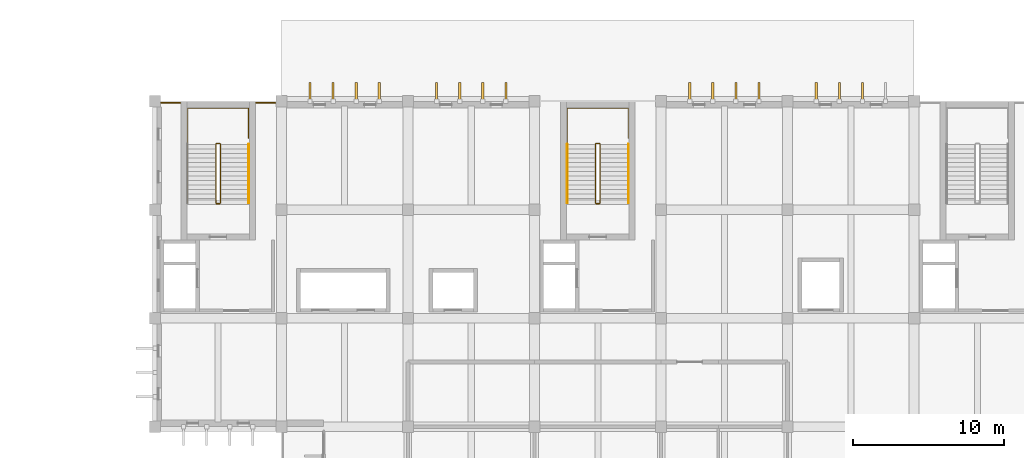
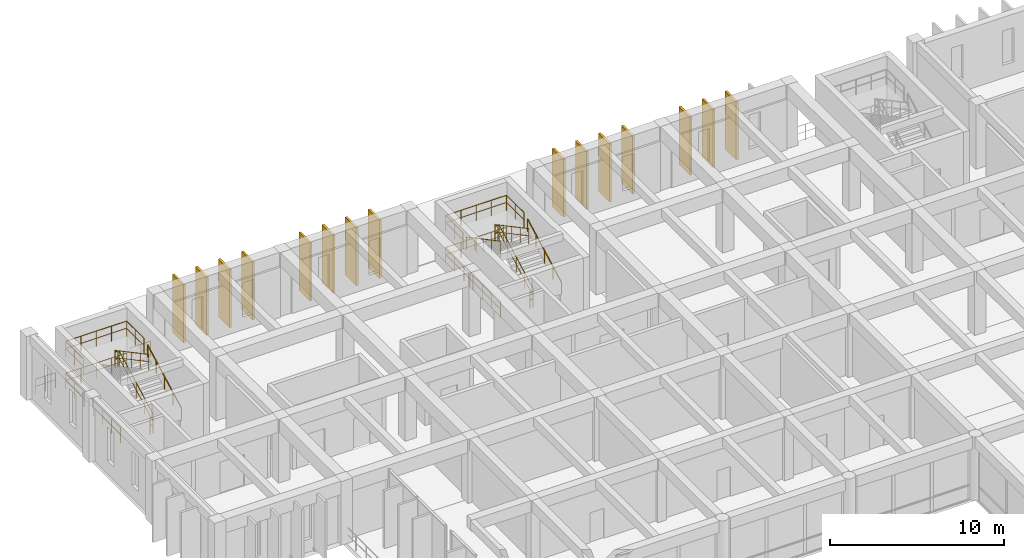
# One storey, part 22 of 23: 17 railings, 15 shading devices.
"""IFC4 building model written with IfcOpenShell, lengths in metres."""

from ifc_helpers import new_model, si_unit, direction, frame, origin, origin_2d, place, context, subcontext, project, spatial, rectangle, circle, extrude, material, type_object, element, save


model = new_model("IFC4")

# Units and contexts
model_context = context("Model", 3, precision=1e-05, world=origin(), true_north=direction((0.0, 1.0)))
body_context = subcontext(model_context, "Body", "Model", "MODEL_VIEW")
ifc_project = project(units=[si_unit("LENGTHUNIT", "METRE"), si_unit("AREAUNIT", "SQUARE_METRE"), si_unit("VOLUMEUNIT", "CUBIC_METRE"), si_unit("PLANEANGLEUNIT", "RADIAN"), si_unit("MASSUNIT", "GRAM", prefix="KILO")], contexts=[model_context])

# Site, building, storey
site_placement = place(None, origin())
site = spatial("IfcSite", under=ifc_project, at=site_placement, CompositionType="ELEMENT")
building_placement = place(site_placement, origin())
building = spatial("IfcBuilding", under=site, at=building_placement, Name="Kenerak Square Central Library", CompositionType="ELEMENT")
storey_placement = place(building_placement, frame((0.0, 0.0, 18.8798828125)))
storey = spatial("IfcBuildingStorey", under=building, at=storey_placement, Name="L04", CompositionType="ELEMENT", Elevation=18.8798828125)

# Shading devices
ifc_material_1 = material(Name="White precast concrete C40/50", Category="concrete")
shading_device_type = type_object("IfcShadingDeviceType", Name="Precast Vertical Solar Fin SF-1280 C40/50", PredefinedType="USERDEFINED", material=ifc_material_1)
for number, where, z_axis, x_axis, name in (
    (1, (68.705078125, 111.02001953125, 0.10009765625), (0.0, 0.0, 1.0), (1.0, 0.0, 0.0), "Precast Solar Fin FIN-01 L04 0362"),
    (2, (70.235107421875, 111.02001953125, 0.10009765625), (0.0, 0.0, 1.0), (1.0, 0.0, 0.0), "Precast Solar Fin FIN-01 L04 0363"),
    (3, (71.764892578125, 111.02001953125, 0.10009765625), (0.0, 0.0, 1.0), (1.0, 0.0, 0.0), "Precast Solar Fin FIN-01 L04 0364"),
    (4, (73.294921875, 111.02001953125, 0.10009765625), (0.0, 0.0, 1.0), (1.0, 0.0, 0.0), "Precast Solar Fin FIN-01 L04 0365"),
    (5, (77.10498046875, 111.02001953125, 0.10009765625), (0.0, 0.0, 1.0), (1.0, 0.0, 0.0), "Precast Solar Fin FIN-01 L04 0366"),
    (6, (78.635009765625, 111.02001953125, 0.10009765625), (0.0, 0.0, 1.0), (1.0, 0.0, 0.0), "Precast Solar Fin FIN-01 L04 0367"),
    (7, (80.1650390625, 111.02001953125, 0.10009765625), (0.0, 0.0, 1.0), (1.0, 0.0, 0.0), "Precast Solar Fin FIN-01 L04 0368"),
    (8, (81.695068359375, 111.02001953125, 0.10009765625), (0.0, 0.0, 1.0), (1.0, 0.0, 0.0), "Precast Solar Fin FIN-01 L04 0369"),
    (9, (93.905029296875, 111.02001953125, 0.10009765625), (0.0, 0.0, 1.0), (1.0, 0.0, 0.0), "Precast Solar Fin FIN-01 L04 0370"),
    (10, (95.43505859375, 111.02001953125, 0.10009765625), (0.0, 0.0, 1.0), (1.0, 0.0, 0.0), "Precast Solar Fin FIN-01 L04 0371"),
    (11, (96.965087890625, 111.02001953125, 0.10009765625), (0.0, 0.0, 1.0), (1.0, 0.0, 0.0), "Precast Solar Fin FIN-01 L04 0372"),
    (12, (98.4951171875, 111.02001953125, 0.10009765625), (0.0, 0.0, 1.0), (1.0, 0.0, 0.0), "Precast Solar Fin FIN-01 L04 0373"),
    (13, (102.304931640625, 111.02001953125, 0.10009765625), (0.0, 0.0, 1.0), (1.0, 0.0, 0.0), "Precast Solar Fin FIN-01 L04 0374"),
    (14, (103.8349609375, 111.02001953125, 0.10009765625), (0.0, 0.0, 1.0), (1.0, 0.0, 0.0), "Precast Solar Fin FIN-01 L04 0375"),
    (15, (105.364990234375, 111.02001953125, 0.10009765625), (0.0, 0.0, 1.0), (1.0, 0.0, 0.0), "Precast Solar Fin FIN-01 L04 0376"),
):
    element("IfcShadingDevice", number, at=place(storey_placement, frame(where, z_axis=z_axis, x_axis=x_axis)), inside=storey, type_object=shading_device_type, Name=name, ObjectType="FIN", PredefinedType="USERDEFINED", context=body_context, shape_type="SweptSolid", body=[
        extrude(rectangle(XDim=0.139892578125, YDim=1.280029296875, at=origin_2d()), origin(), (0.0, 0.0, 1.0), 4.054931640625),
    ])

# Railings
ifc_material_2 = material(Name="Steel S355", Category="steel")
railing_type_1 = type_object("IfcRailingType", Name="Safety Guardrail GR-1100 S355", PredefinedType="GUARDRAIL", material=ifc_material_2)
railing_1_placement = place(storey_placement, frame((62.75, 103.64990234375, 0.16015625)))
element("IfcRailing", 16, at=railing_1_placement, inside=storey, type_object=railing_type_1, Name="L04 ST-01 stair guard 1", PredefinedType="GUARDRAIL", context=body_context, shape_type="SweptSolid", body=[
    extrude(circle(Radius=0.02392578125, at=origin_2d()), frame((0.0, 0.0, 1.076171875), z_axis=(0.0, 0.882352941176, 0.470588235294), x_axis=(-1.0, 0.0, 0.0)), (0.0, 0.0, 1.0), 4.420166015625),
    extrude(circle(Radius=0.01806640625, at=origin_2d()), frame((0.0, 0.0, 0.572021484375), z_axis=(0.0, 0.882352941176, 0.470588235294), x_axis=(-1.0, 0.0, 0.0)), (0.0, 0.0, 1.0), 4.420166015625),
    extrude(circle(Radius=0.02099609375, at=origin_2d()), origin(), (0.0, 0.0, 1.0), 1.052001953125),
    extrude(circle(Radius=0.02099609375, at=origin_2d()), frame((0.0, 0.97509765625, 0.52001953125)), (0.0, 0.0, 1.0), 1.052001953125),
    extrude(circle(Radius=0.02099609375, at=origin_2d()), frame((0.0, 1.9501953125, 1.0400390625)), (0.0, 0.0, 1.0), 1.052001953125),
    extrude(circle(Radius=0.02099609375, at=origin_2d()), frame((0.0, 2.925048828125, 1.56005859375)), (0.0, 0.0, 1.0), 1.052001953125),
    extrude(circle(Radius=0.02099609375, at=origin_2d()), frame((0.0, 3.900146484375, 2.080078125)), (0.0, 0.0, 1.0), 1.052001953125),
])
railing_2_placement = place(storey_placement, frame((62.699951171875, 107.60009765625, 2.240234375)))
element("IfcRailing", 17, at=railing_2_placement, inside=storey, type_object=railing_type_1, Name="L04 ST-01 stair guard 2", PredefinedType="GUARDRAIL", context=body_context, shape_type="SweptSolid", body=[
    extrude(circle(Radius=0.02392578125, at=origin_2d()), frame((0.0, 0.0, 1.076171875), z_axis=(-1.0, 0.0, 0.0), x_axis=(0.0, -1.0, 0.0)), (0.0, 0.0, 1.0), 0.199951171875),
    extrude(circle(Radius=0.01806640625, at=origin_2d()), frame((0.0, 0.0, 0.572021484375), z_axis=(-1.0, 0.0, 0.0), x_axis=(0.0, -1.0, 0.0)), (0.0, 0.0, 1.0), 0.199951171875),
    extrude(circle(Radius=0.02099609375, at=origin_2d()), origin(), (0.0, 0.0, 1.0), 1.052001953125),
    extrude(circle(Radius=0.02099609375, at=origin_2d()), frame((-0.199951171875, 0.0, 0.0)), (0.0, 0.0, 1.0), 1.052001953125),
])
railing_3_placement = place(storey_placement, frame((62.449951171875, 107.550048828125, 2.400146484375)))
element("IfcRailing", 18, at=railing_3_placement, inside=storey, type_object=railing_type_1, Name="L04 ST-01 stair guard 3", PredefinedType="GUARDRAIL", context=body_context, shape_type="SweptSolid", body=[
    extrude(circle(Radius=0.02392578125, at=origin_2d()), frame((0.0, 0.0, 1.076171875), z_axis=(0.0, -0.882352941176, 0.470588235294), x_axis=(1.0, 0.0, 0.0)), (0.0, 0.0, 1.0), 4.420166015625),
    extrude(circle(Radius=0.01806640625, at=origin_2d()), frame((0.0, 0.0, 0.572021484375), z_axis=(0.0, -0.882352941176, 0.470588235294), x_axis=(1.0, 0.0, 0.0)), (0.0, 0.0, 1.0), 4.420166015625),
    extrude(circle(Radius=0.02099609375, at=origin_2d()), origin(), (0.0, 0.0, 1.0), 1.052001953125),
    extrude(circle(Radius=0.02099609375, at=origin_2d()), frame((0.0, -0.97509765625, 0.52001953125)), (0.0, 0.0, 1.0), 1.052001953125),
    extrude(circle(Radius=0.02099609375, at=origin_2d()), frame((0.0, -1.9501953125, 1.0400390625)), (0.0, 0.0, 1.0), 1.052001953125),
    extrude(circle(Radius=0.02099609375, at=origin_2d()), frame((0.0, -2.925048828125, 1.56005859375)), (0.0, 0.0, 1.0), 1.052001953125),
    extrude(circle(Radius=0.02099609375, at=origin_2d()), frame((0.0, -3.900146484375, 2.080078125)), (0.0, 0.0, 1.0), 1.052001953125),
])
railing_4_placement = place(storey_placement, frame((62.699951171875, 103.60009765625, 0.0)))
element("IfcRailing", 19, at=railing_4_placement, inside=storey, type_object=railing_type_1, Name="L04 ST-01 stair guard 4", PredefinedType="GUARDRAIL", context=body_context, shape_type="SweptSolid", body=[
    extrude(circle(Radius=0.02392578125, at=origin_2d()), frame((0.0, 0.0, 1.076171875), z_axis=(-1.0, 0.0, 0.0), x_axis=(0.0, -1.0, 0.0)), (0.0, 0.0, 1.0), 0.199951171875),
    extrude(circle(Radius=0.01806640625, at=origin_2d()), frame((0.0, 0.0, 0.572021484375), z_axis=(-1.0, 0.0, 0.0), x_axis=(0.0, -1.0, 0.0)), (0.0, 0.0, 1.0), 0.199951171875),
    extrude(circle(Radius=0.02099609375, at=origin_2d()), origin(), (0.0, 0.0, 1.0), 1.052001953125),
    extrude(circle(Radius=0.02099609375, at=origin_2d()), frame((-0.199951171875, 0.0, 0.0)), (0.0, 0.0, 1.0), 1.052001953125),
])
railing_5_placement = place(storey_placement, frame((60.580078125, 107.949951171875, 2.240234375)))
element("IfcRailing", 20, at=railing_5_placement, inside=storey, type_object=railing_type_1, Name="Stair Half-Landing Guard ST-01 L04", PredefinedType="GUARDRAIL", context=body_context, shape_type="SweptSolid", body=[
    extrude(circle(Radius=0.02392578125, at=origin_2d()), frame((0.0, 0.0, 1.076171875), z_axis=(0.0, 1.0, 0.0), x_axis=(-1.0, 0.0, 0.0)), (0.0, 0.0, 1.0), 2.0),
    extrude(circle(Radius=0.01806640625, at=origin_2d()), frame((0.0, 0.0, 0.572021484375), z_axis=(0.0, 1.0, 0.0), x_axis=(-1.0, 0.0, 0.0)), (0.0, 0.0, 1.0), 2.0),
    extrude(circle(Radius=0.02392578125, at=origin_2d()), frame((0.0, 2.0, 1.076171875), z_axis=(1.0, 0.0, 0.0), x_axis=(0.0, 1.0, 0.0)), (0.0, 0.0, 1.0), 4.0400390625),
    extrude(circle(Radius=0.01806640625, at=origin_2d()), frame((0.0, 2.0, 0.572021484375), z_axis=(1.0, 0.0, 0.0), x_axis=(0.0, 1.0, 0.0)), (0.0, 0.0, 1.0), 4.0400390625),
    extrude(circle(Radius=0.02392578125, at=origin_2d()), frame((4.0400390625, 2.0, 1.076171875), z_axis=(0.0, -1.0, 0.0), x_axis=(1.0, 0.0, 0.0)), (0.0, 0.0, 1.0), 2.0),
    extrude(circle(Radius=0.01806640625, at=origin_2d()), frame((4.0400390625, 2.0, 0.572021484375), z_axis=(0.0, -1.0, 0.0), x_axis=(1.0, 0.0, 0.0)), (0.0, 0.0, 1.0), 2.0),
    extrude(circle(Radius=0.02099609375, at=origin_2d()), origin(), (0.0, 0.0, 1.0), 1.052001953125),
    extrude(circle(Radius=0.02099609375, at=origin_2d()), frame((0.0, 1.0, 0.0)), (0.0, 0.0, 1.0), 1.052001953125),
    extrude(circle(Radius=0.02099609375, at=origin_2d()), frame((0.0, 2.0, 0.0)), (0.0, 0.0, 1.0), 1.052001953125),
    extrude(circle(Radius=0.02099609375, at=origin_2d()), frame((1.010009765625, 2.0, 0.0)), (0.0, 0.0, 1.0), 1.052001953125),
    extrude(circle(Radius=0.02099609375, at=origin_2d()), frame((2.02001953125, 2.0, 0.0)), (0.0, 0.0, 1.0), 1.052001953125),
    extrude(circle(Radius=0.02099609375, at=origin_2d()), frame((3.030029296875, 2.0, 0.0)), (0.0, 0.0, 1.0), 1.052001953125),
    extrude(circle(Radius=0.02099609375, at=origin_2d()), frame((4.0400390625, 2.0, 0.0)), (0.0, 0.0, 1.0), 1.052001953125),
    extrude(circle(Radius=0.02099609375, at=origin_2d()), frame((4.0400390625, 1.0, 0.0)), (0.0, 0.0, 1.0), 1.052001953125),
    extrude(circle(Radius=0.02099609375, at=origin_2d()), frame((4.0400390625, 0.0, 0.0)), (0.0, 0.0, 1.0), 1.052001953125),
])
railing_6_placement = place(storey_placement, frame((60.580078125, 103.64990234375, 0.0)))
element("IfcRailing", 21, at=railing_6_placement, inside=storey, type_object=railing_type_1, Name="Stair Well Floor Guard ST-01 L04", PredefinedType="GUARDRAIL", context=body_context, shape_type="SweptSolid", body=[
    extrude(circle(Radius=0.02392578125, at=origin_2d()), frame((0.0, 0.0, 1.076171875), z_axis=(0.0, 1.0, 0.0), x_axis=(-1.0, 0.0, 0.0)), (0.0, 0.0, 1.0), 6.300048828125),
    extrude(circle(Radius=0.01806640625, at=origin_2d()), frame((0.0, 0.0, 0.572021484375), z_axis=(0.0, 1.0, 0.0), x_axis=(-1.0, 0.0, 0.0)), (0.0, 0.0, 1.0), 6.300048828125),
    extrude(circle(Radius=0.02392578125, at=origin_2d()), frame((0.0, 6.300048828125, 1.076171875), z_axis=(1.0, 0.0, 0.0), x_axis=(0.0, 1.0, 0.0)), (0.0, 0.0, 1.0), 4.0400390625),
    extrude(circle(Radius=0.01806640625, at=origin_2d()), frame((0.0, 6.300048828125, 0.572021484375), z_axis=(1.0, 0.0, 0.0), x_axis=(0.0, 1.0, 0.0)), (0.0, 0.0, 1.0), 4.0400390625),
    extrude(circle(Radius=0.02099609375, at=origin_2d()), origin(), (0.0, 0.0, 1.0), 1.052001953125),
    extrude(circle(Radius=0.02099609375, at=origin_2d()), frame((0.0, 1.050048828125, 0.0)), (0.0, 0.0, 1.0), 1.052001953125),
    extrude(circle(Radius=0.02099609375, at=origin_2d()), frame((0.0, 2.10009765625, 0.0)), (0.0, 0.0, 1.0), 1.052001953125),
    extrude(circle(Radius=0.02099609375, at=origin_2d()), frame((0.0, 3.14990234375, 0.0)), (0.0, 0.0, 1.0), 1.052001953125),
    extrude(circle(Radius=0.02099609375, at=origin_2d()), frame((0.0, 4.199951171875, 0.0)), (0.0, 0.0, 1.0), 1.052001953125),
    extrude(circle(Radius=0.02099609375, at=origin_2d()), frame((0.0, 5.25, 0.0)), (0.0, 0.0, 1.0), 1.052001953125),
    extrude(circle(Radius=0.02099609375, at=origin_2d()), frame((0.0, 6.300048828125, 0.0)), (0.0, 0.0, 1.0), 1.052001953125),
    extrude(circle(Radius=0.02099609375, at=origin_2d()), frame((1.010009765625, 6.300048828125, 0.0)), (0.0, 0.0, 1.0), 1.052001953125),
    extrude(circle(Radius=0.02099609375, at=origin_2d()), frame((2.02001953125, 6.300048828125, 0.0)), (0.0, 0.0, 1.0), 1.052001953125),
    extrude(circle(Radius=0.02099609375, at=origin_2d()), frame((3.030029296875, 6.300048828125, 0.0)), (0.0, 0.0, 1.0), 1.052001953125),
    extrude(circle(Radius=0.02099609375, at=origin_2d()), frame((4.0400390625, 6.300048828125, 0.0)), (0.0, 0.0, 1.0), 1.052001953125),
])
railing_7_placement = place(storey_placement, frame((87.949951171875, 103.64990234375, 0.16015625)))
element("IfcRailing", 22, at=railing_7_placement, inside=storey, type_object=railing_type_1, Name="L04 ST-02 stair guard 1", PredefinedType="GUARDRAIL", context=body_context, shape_type="SweptSolid", body=[
    extrude(circle(Radius=0.02392578125, at=origin_2d()), frame((0.0, 0.0, 1.076171875), z_axis=(0.0, 0.882352941176, 0.470588235294), x_axis=(-1.0, 0.0, 0.0)), (0.0, 0.0, 1.0), 4.420166015625),
    extrude(circle(Radius=0.01806640625, at=origin_2d()), frame((0.0, 0.0, 0.572021484375), z_axis=(0.0, 0.882352941176, 0.470588235294), x_axis=(-1.0, 0.0, 0.0)), (0.0, 0.0, 1.0), 4.420166015625),
    extrude(circle(Radius=0.02099609375, at=origin_2d()), origin(), (0.0, 0.0, 1.0), 1.052001953125),
    extrude(circle(Radius=0.02099609375, at=origin_2d()), frame((0.0, 0.97509765625, 0.52001953125)), (0.0, 0.0, 1.0), 1.052001953125),
    extrude(circle(Radius=0.02099609375, at=origin_2d()), frame((0.0, 1.9501953125, 1.0400390625)), (0.0, 0.0, 1.0), 1.052001953125),
    extrude(circle(Radius=0.02099609375, at=origin_2d()), frame((0.0, 2.925048828125, 1.56005859375)), (0.0, 0.0, 1.0), 1.052001953125),
    extrude(circle(Radius=0.02099609375, at=origin_2d()), frame((0.0, 3.900146484375, 2.080078125)), (0.0, 0.0, 1.0), 1.052001953125),
])
railing_8_placement = place(storey_placement, frame((87.89990234375, 107.60009765625, 2.240234375)))
element("IfcRailing", 23, at=railing_8_placement, inside=storey, type_object=railing_type_1, Name="L04 ST-02 stair guard 2", PredefinedType="GUARDRAIL", context=body_context, shape_type="SweptSolid", body=[
    extrude(circle(Radius=0.02392578125, at=origin_2d()), frame((0.0, 0.0, 1.076171875), z_axis=(-1.0, 0.0, 0.0), x_axis=(0.0, -1.0, 0.0)), (0.0, 0.0, 1.0), 0.199951171875),
    extrude(circle(Radius=0.01806640625, at=origin_2d()), frame((0.0, 0.0, 0.572021484375), z_axis=(-1.0, 0.0, 0.0), x_axis=(0.0, -1.0, 0.0)), (0.0, 0.0, 1.0), 0.199951171875),
    extrude(circle(Radius=0.02099609375, at=origin_2d()), origin(), (0.0, 0.0, 1.0), 1.052001953125),
    extrude(circle(Radius=0.02099609375, at=origin_2d()), frame((-0.199951171875, 0.0, 0.0)), (0.0, 0.0, 1.0), 1.052001953125),
])
railing_9_placement = place(storey_placement, frame((87.64990234375, 107.550048828125, 2.400146484375)))
element("IfcRailing", 24, at=railing_9_placement, inside=storey, type_object=railing_type_1, Name="L04 ST-02 stair guard 3", PredefinedType="GUARDRAIL", context=body_context, shape_type="SweptSolid", body=[
    extrude(circle(Radius=0.02392578125, at=origin_2d()), frame((0.0, 0.0, 1.076171875), z_axis=(0.0, -0.882352941176, 0.470588235294), x_axis=(1.0, 0.0, 0.0)), (0.0, 0.0, 1.0), 4.420166015625),
    extrude(circle(Radius=0.01806640625, at=origin_2d()), frame((0.0, 0.0, 0.572021484375), z_axis=(0.0, -0.882352941176, 0.470588235294), x_axis=(1.0, 0.0, 0.0)), (0.0, 0.0, 1.0), 4.420166015625),
    extrude(circle(Radius=0.02099609375, at=origin_2d()), origin(), (0.0, 0.0, 1.0), 1.052001953125),
    extrude(circle(Radius=0.02099609375, at=origin_2d()), frame((0.0, -0.97509765625, 0.52001953125)), (0.0, 0.0, 1.0), 1.052001953125),
    extrude(circle(Radius=0.02099609375, at=origin_2d()), frame((0.0, -1.9501953125, 1.0400390625)), (0.0, 0.0, 1.0), 1.052001953125),
    extrude(circle(Radius=0.02099609375, at=origin_2d()), frame((0.0, -2.925048828125, 1.56005859375)), (0.0, 0.0, 1.0), 1.052001953125),
    extrude(circle(Radius=0.02099609375, at=origin_2d()), frame((0.0, -3.900146484375, 2.080078125)), (0.0, 0.0, 1.0), 1.052001953125),
])
railing_10_placement = place(storey_placement, frame((87.89990234375, 103.60009765625, 0.0)))
element("IfcRailing", 25, at=railing_10_placement, inside=storey, type_object=railing_type_1, Name="L04 ST-02 stair guard 4", PredefinedType="GUARDRAIL", context=body_context, shape_type="SweptSolid", body=[
    extrude(circle(Radius=0.02392578125, at=origin_2d()), frame((0.0, 0.0, 1.076171875), z_axis=(-1.0, 0.0, 0.0), x_axis=(0.0, -1.0, 0.0)), (0.0, 0.0, 1.0), 0.199951171875),
    extrude(circle(Radius=0.01806640625, at=origin_2d()), frame((0.0, 0.0, 0.572021484375), z_axis=(-1.0, 0.0, 0.0), x_axis=(0.0, -1.0, 0.0)), (0.0, 0.0, 1.0), 0.199951171875),
    extrude(circle(Radius=0.02099609375, at=origin_2d()), origin(), (0.0, 0.0, 1.0), 1.052001953125),
    extrude(circle(Radius=0.02099609375, at=origin_2d()), frame((-0.199951171875, 0.0, 0.0)), (0.0, 0.0, 1.0), 1.052001953125),
])
railing_11_placement = place(storey_placement, frame((85.780029296875, 107.949951171875, 2.240234375)))
element("IfcRailing", 26, at=railing_11_placement, inside=storey, type_object=railing_type_1, Name="Stair Half-Landing Guard ST-02 L04", PredefinedType="GUARDRAIL", context=body_context, shape_type="SweptSolid", body=[
    extrude(circle(Radius=0.02392578125, at=origin_2d()), frame((0.0, 0.0, 1.076171875), z_axis=(0.0, 1.0, 0.0), x_axis=(-1.0, 0.0, 0.0)), (0.0, 0.0, 1.0), 2.0),
    extrude(circle(Radius=0.01806640625, at=origin_2d()), frame((0.0, 0.0, 0.572021484375), z_axis=(0.0, 1.0, 0.0), x_axis=(-1.0, 0.0, 0.0)), (0.0, 0.0, 1.0), 2.0),
    extrude(circle(Radius=0.02392578125, at=origin_2d()), frame((0.0, 2.0, 1.076171875), z_axis=(1.0, 0.0, 0.0), x_axis=(0.0, 1.0, 0.0)), (0.0, 0.0, 1.0), 4.0400390625),
    extrude(circle(Radius=0.01806640625, at=origin_2d()), frame((0.0, 2.0, 0.572021484375), z_axis=(1.0, 0.0, 0.0), x_axis=(0.0, 1.0, 0.0)), (0.0, 0.0, 1.0), 4.0400390625),
    extrude(circle(Radius=0.02392578125, at=origin_2d()), frame((4.0400390625, 2.0, 1.076171875), z_axis=(0.0, -1.0, 0.0), x_axis=(1.0, 0.0, 0.0)), (0.0, 0.0, 1.0), 2.0),
    extrude(circle(Radius=0.01806640625, at=origin_2d()), frame((4.0400390625, 2.0, 0.572021484375), z_axis=(0.0, -1.0, 0.0), x_axis=(1.0, 0.0, 0.0)), (0.0, 0.0, 1.0), 2.0),
    extrude(circle(Radius=0.02099609375, at=origin_2d()), origin(), (0.0, 0.0, 1.0), 1.052001953125),
    extrude(circle(Radius=0.02099609375, at=origin_2d()), frame((0.0, 1.0, 0.0)), (0.0, 0.0, 1.0), 1.052001953125),
    extrude(circle(Radius=0.02099609375, at=origin_2d()), frame((0.0, 2.0, 0.0)), (0.0, 0.0, 1.0), 1.052001953125),
    extrude(circle(Radius=0.02099609375, at=origin_2d()), frame((1.010009765625, 2.0, 0.0)), (0.0, 0.0, 1.0), 1.052001953125),
    extrude(circle(Radius=0.02099609375, at=origin_2d()), frame((2.02001953125, 2.0, 0.0)), (0.0, 0.0, 1.0), 1.052001953125),
    extrude(circle(Radius=0.02099609375, at=origin_2d()), frame((3.030029296875, 2.0, 0.0)), (0.0, 0.0, 1.0), 1.052001953125),
    extrude(circle(Radius=0.02099609375, at=origin_2d()), frame((4.0400390625, 2.0, 0.0)), (0.0, 0.0, 1.0), 1.052001953125),
    extrude(circle(Radius=0.02099609375, at=origin_2d()), frame((4.0400390625, 1.0, 0.0)), (0.0, 0.0, 1.0), 1.052001953125),
    extrude(circle(Radius=0.02099609375, at=origin_2d()), frame((4.0400390625, 0.0, 0.0)), (0.0, 0.0, 1.0), 1.052001953125),
])
railing_12_placement = place(storey_placement, frame((85.780029296875, 103.64990234375, 0.0)))
element("IfcRailing", 27, at=railing_12_placement, inside=storey, type_object=railing_type_1, Name="Stair Well Floor Guard ST-02 L04", PredefinedType="GUARDRAIL", context=body_context, shape_type="SweptSolid", body=[
    extrude(circle(Radius=0.02392578125, at=origin_2d()), frame((0.0, 0.0, 1.076171875), z_axis=(0.0, 1.0, 0.0), x_axis=(-1.0, 0.0, 0.0)), (0.0, 0.0, 1.0), 6.300048828125),
    extrude(circle(Radius=0.01806640625, at=origin_2d()), frame((0.0, 0.0, 0.572021484375), z_axis=(0.0, 1.0, 0.0), x_axis=(-1.0, 0.0, 0.0)), (0.0, 0.0, 1.0), 6.300048828125),
    extrude(circle(Radius=0.02392578125, at=origin_2d()), frame((0.0, 6.300048828125, 1.076171875), z_axis=(1.0, 0.0, 0.0), x_axis=(0.0, 1.0, 0.0)), (0.0, 0.0, 1.0), 4.0400390625),
    extrude(circle(Radius=0.01806640625, at=origin_2d()), frame((0.0, 6.300048828125, 0.572021484375), z_axis=(1.0, 0.0, 0.0), x_axis=(0.0, 1.0, 0.0)), (0.0, 0.0, 1.0), 4.0400390625),
    extrude(circle(Radius=0.02099609375, at=origin_2d()), origin(), (0.0, 0.0, 1.0), 1.052001953125),
    extrude(circle(Radius=0.02099609375, at=origin_2d()), frame((0.0, 1.050048828125, 0.0)), (0.0, 0.0, 1.0), 1.052001953125),
    extrude(circle(Radius=0.02099609375, at=origin_2d()), frame((0.0, 2.10009765625, 0.0)), (0.0, 0.0, 1.0), 1.052001953125),
    extrude(circle(Radius=0.02099609375, at=origin_2d()), frame((0.0, 3.14990234375, 0.0)), (0.0, 0.0, 1.0), 1.052001953125),
    extrude(circle(Radius=0.02099609375, at=origin_2d()), frame((0.0, 4.199951171875, 0.0)), (0.0, 0.0, 1.0), 1.052001953125),
    extrude(circle(Radius=0.02099609375, at=origin_2d()), frame((0.0, 5.25, 0.0)), (0.0, 0.0, 1.0), 1.052001953125),
    extrude(circle(Radius=0.02099609375, at=origin_2d()), frame((0.0, 6.300048828125, 0.0)), (0.0, 0.0, 1.0), 1.052001953125),
    extrude(circle(Radius=0.02099609375, at=origin_2d()), frame((1.010009765625, 6.300048828125, 0.0)), (0.0, 0.0, 1.0), 1.052001953125),
    extrude(circle(Radius=0.02099609375, at=origin_2d()), frame((2.02001953125, 6.300048828125, 0.0)), (0.0, 0.0, 1.0), 1.052001953125),
    extrude(circle(Radius=0.02099609375, at=origin_2d()), frame((3.030029296875, 6.300048828125, 0.0)), (0.0, 0.0, 1.0), 1.052001953125),
    extrude(circle(Radius=0.02099609375, at=origin_2d()), frame((4.0400390625, 6.300048828125, 0.0)), (0.0, 0.0, 1.0), 1.052001953125),
])
railing_13_placement = place(storey_placement, frame((58.797119140625, 110.300048828125, 0.0)))
element("IfcRailing", 28, at=railing_13_placement, inside=storey, type_object=railing_type_1, Name="Perimeter Edge Guardrail L04 59-1", PredefinedType="GUARDRAIL", context=body_context, shape_type="SweptSolid", body=[
    extrude(circle(Radius=0.02392578125, at=origin_2d()), frame((0.0, 0.0, 1.076171875), z_axis=(1.0, 0.0, 0.0), x_axis=(0.0, 1.0, 0.0)), (0.0, 0.0, 1.0), 1.30078125),
    extrude(circle(Radius=0.01806640625, at=origin_2d()), frame((0.0, 0.0, 0.572021484375), z_axis=(1.0, 0.0, 0.0), x_axis=(0.0, 1.0, 0.0)), (0.0, 0.0, 1.0), 1.30078125),
    extrude(circle(Radius=0.02099609375, at=origin_2d()), origin(), (0.0, 0.0, 1.0), 1.052001953125),
    extrude(circle(Radius=0.02099609375, at=origin_2d()), frame((0.650390625, 0.0, 0.0)), (0.0, 0.0, 1.0), 1.052001953125),
    extrude(circle(Radius=0.02099609375, at=origin_2d()), frame((1.30078125, 0.0, 0.0)), (0.0, 0.0, 1.0), 1.052001953125),
])
railing_14_placement = place(storey_placement, frame((65.10205078125, 110.300048828125, 0.0)))
element("IfcRailing", 29, at=railing_14_placement, inside=storey, type_object=railing_type_1, Name="Perimeter Edge Guardrail L04 65-2", PredefinedType="GUARDRAIL", context=body_context, shape_type="SweptSolid", body=[
    extrude(circle(Radius=0.02392578125, at=origin_2d()), frame((0.0, 0.0, 1.076171875), z_axis=(1.0, 0.0, 0.0), x_axis=(0.0, 1.0, 0.0)), (0.0, 0.0, 1.0), 1.301025390625),
    extrude(circle(Radius=0.01806640625, at=origin_2d()), frame((0.0, 0.0, 0.572021484375), z_axis=(1.0, 0.0, 0.0), x_axis=(0.0, 1.0, 0.0)), (0.0, 0.0, 1.0), 1.301025390625),
    extrude(circle(Radius=0.02099609375, at=origin_2d()), origin(), (0.0, 0.0, 1.0), 1.052001953125),
    extrude(circle(Radius=0.02099609375, at=origin_2d()), frame((0.650390625, 0.0, 0.0)), (0.0, 0.0, 1.0), 1.052001953125),
    extrude(circle(Radius=0.02099609375, at=origin_2d()), frame((1.301025390625, 0.0, 0.0)), (0.0, 0.0, 1.0), 1.052001953125),
])
railing_type_2 = type_object("IfcRailingType", Name="Stair Handrail HR-880 S355", PredefinedType="HANDRAIL", material=ifc_material_2)
for number, where, name in (
    (30, (64.6298828125, 103.64990234375, 0.16015625), "L04 ST-01 stair handrail 1"),
    (31, (89.830078125, 103.64990234375, 0.16015625), "L04 ST-02 stair handrail 1"),
):
    element("IfcRailing", number, at=place(storey_placement, frame(where)), inside=storey, type_object=railing_type_2, Name=name, PredefinedType="HANDRAIL", context=body_context, shape_type="SweptSolid", body=[
        extrude(circle(Radius=0.02392578125, at=origin_2d()), frame((0.0, 0.0, 0.85595703125), z_axis=(0.0, 0.882352941176, 0.470588235294), x_axis=(-1.0, 0.0, 0.0)), (0.0, 0.0, 1.0), 4.420166015625),
        extrude(circle(Radius=0.02099609375, at=origin_2d()), origin(), (0.0, 0.0, 1.0), 0.831787109375),
        extrude(circle(Radius=0.02099609375, at=origin_2d()), frame((0.0, 0.97509765625, 0.52001953125)), (0.0, 0.0, 1.0), 0.831787109375),
        extrude(circle(Radius=0.02099609375, at=origin_2d()), frame((0.0, 1.9501953125, 1.0400390625)), (0.0, 0.0, 1.0), 0.831787109375),
        extrude(circle(Radius=0.02099609375, at=origin_2d()), frame((0.0, 2.925048828125, 1.56005859375)), (0.0, 0.0, 1.0), 0.831787109375),
        extrude(circle(Radius=0.02099609375, at=origin_2d()), frame((0.0, 3.900146484375, 2.080078125)), (0.0, 0.0, 1.0), 0.831787109375),
    ])
railing_15_placement = place(storey_placement, frame((85.77001953125, 107.550048828125, 2.400146484375)))
element("IfcRailing", 32, at=railing_15_placement, inside=storey, type_object=railing_type_2, Name="L04 ST-02 stair handrail 2", PredefinedType="HANDRAIL", context=body_context, shape_type="SweptSolid", body=[
    extrude(circle(Radius=0.02392578125, at=origin_2d()), frame((0.0, 0.0, 0.85595703125), z_axis=(0.0, -0.882352941176, 0.470588235294), x_axis=(1.0, 0.0, 0.0)), (0.0, 0.0, 1.0), 4.420166015625),
    extrude(circle(Radius=0.02099609375, at=origin_2d()), origin(), (0.0, 0.0, 1.0), 0.831787109375),
    extrude(circle(Radius=0.02099609375, at=origin_2d()), frame((0.0, -0.97509765625, 0.52001953125)), (0.0, 0.0, 1.0), 0.831787109375),
    extrude(circle(Radius=0.02099609375, at=origin_2d()), frame((0.0, -1.9501953125, 1.0400390625)), (0.0, 0.0, 1.0), 0.831787109375),
    extrude(circle(Radius=0.02099609375, at=origin_2d()), frame((0.0, -2.925048828125, 1.56005859375)), (0.0, 0.0, 1.0), 0.831787109375),
    extrude(circle(Radius=0.02099609375, at=origin_2d()), frame((0.0, -3.900146484375, 2.080078125)), (0.0, 0.0, 1.0), 0.831787109375),
])

save(model, "model.ifc")
